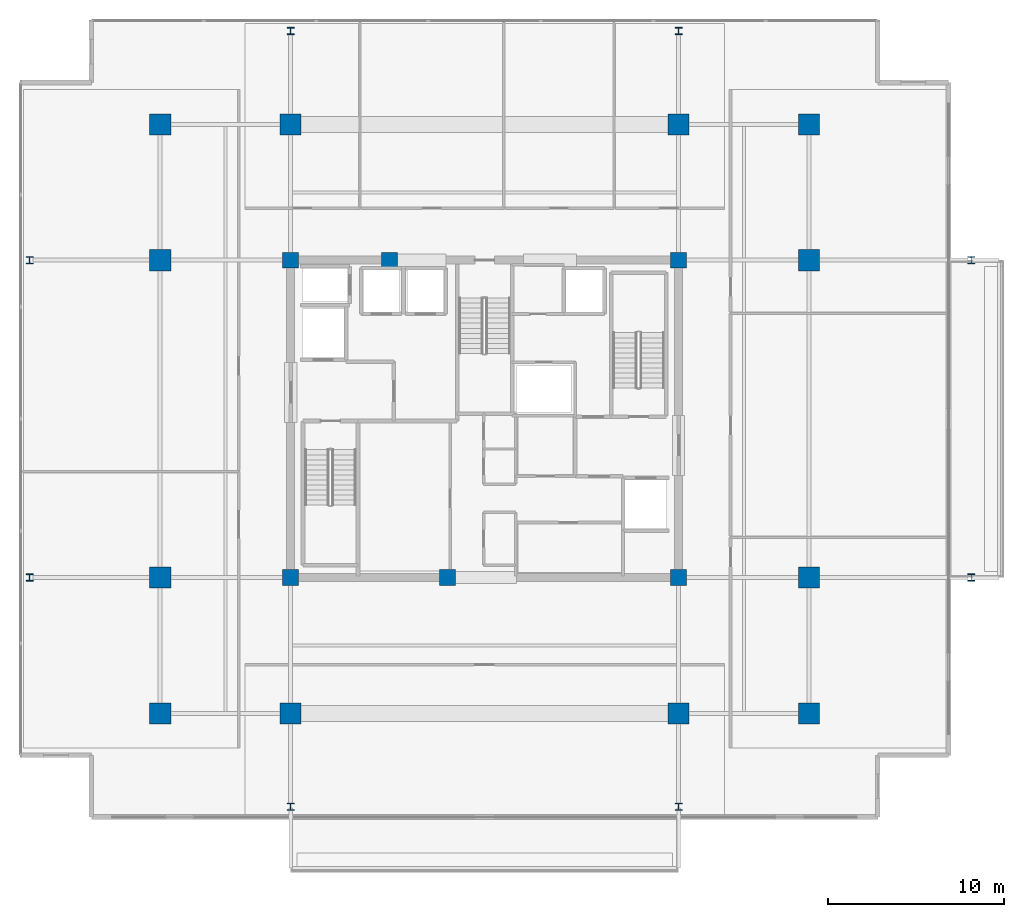
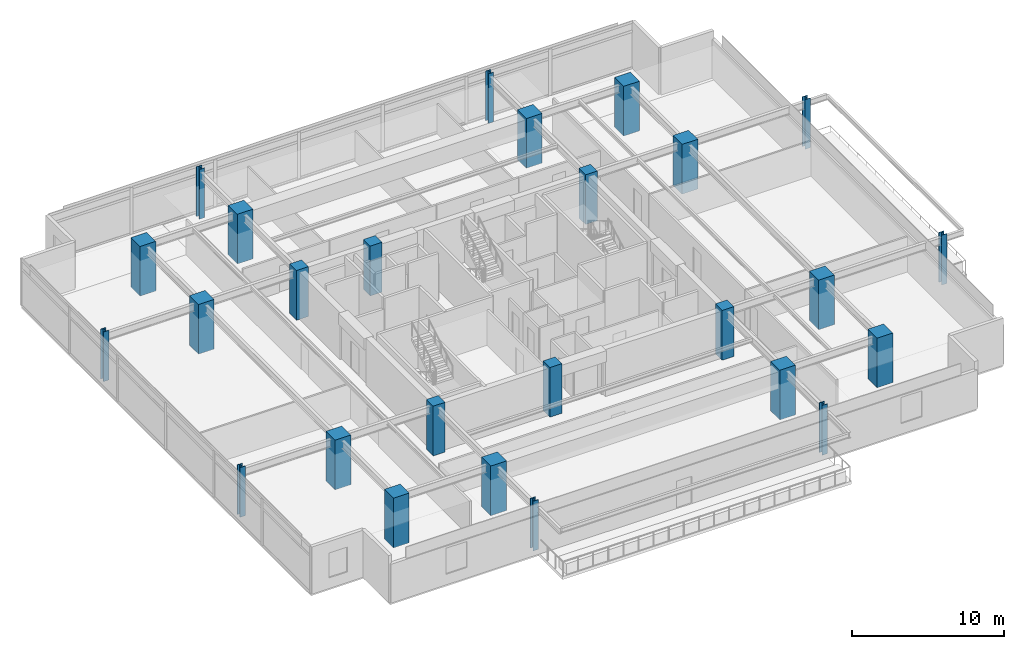
# One storey, part 1 of 21: 26 columns.
"""IFC4 building model written with IfcOpenShell, lengths in metres."""

from ifc_helpers import new_model, si_unit, direction, frame, origin, origin_2d, place, context, subcontext, project, spatial, rectangle, i_section, extrude, material, material_profile, profile_set, type_object, element, save


model = new_model("IFC4")

# Units and contexts
model_context = context("Model", 3, precision=1e-05, world=origin(), true_north=direction((0.0, 1.0)))
body_context = subcontext(model_context, "Body", "Model", "MODEL_VIEW")
ifc_project = project(units=[si_unit("LENGTHUNIT", "METRE"), si_unit("AREAUNIT", "SQUARE_METRE"), si_unit("VOLUMEUNIT", "CUBIC_METRE"), si_unit("PLANEANGLEUNIT", "RADIAN"), si_unit("MASSUNIT", "GRAM", prefix="KILO")], contexts=[model_context])

# Site, building, storey
site_placement = place(None, origin())
site = spatial("IfcSite", under=ifc_project, at=site_placement, CompositionType="ELEMENT")
building_placement = place(site_placement, origin())
building = spatial("IfcBuilding", under=site, at=building_placement, Name="Kovane Verandah Tower", CompositionType="ELEMENT")
storey_placement = place(building_placement, frame((0.0, 0.0, 263.199951171875)))
storey = spatial("IfcBuildingStorey", under=building, at=storey_placement, Name="L61", CompositionType="ELEMENT", Elevation=263.199951171875)

# Columns
ifc_material_1 = material(Name="Concrete C60/75", Category="concrete")
ifc_material_profile_1 = material_profile(ifc_material_1, rectangle(XDim=1.199951171875, YDim=1.199951171875, at=origin_2d()), Name="RC1200x1200")
ifc_profile_set_1 = profile_set([ifc_material_profile_1], Name="Concrete C60/75")
column_type_1 = type_object("IfcColumnType", Name="COL-RC1200", PredefinedType="COLUMN", material=ifc_profile_set_1)
for number, where, z_axis, x_axis, name in (
    (1, (29.0, 10.800048828125, 0.0), (0.0, 0.0, 1.0), (1.0, 0.0, 0.0), "L61 Tower Mega-Column MC-S1"),
    (2, (51.0, 10.800048828125, 0.0), (0.0, 0.0, 1.0), (1.0, 0.0, 0.0), "L61 Tower Mega-Column MC-S2"),
    (3, (29.0, 44.199951171875, 0.0), (0.0, 0.0, 1.0), (1.0, 0.0, 0.0), "L61 Tower Mega-Column MC-N1"),
    (4, (51.0, 44.199951171875, 0.0), (0.0, 0.0, 1.0), (1.0, 0.0, 0.0), "L61 Tower Mega-Column MC-N2"),
    (5, (21.60009765625, 18.5, 0.0), (0.0, 0.0, 1.0), (1.0, 0.0, 0.0), "L61 Tower Mega-Column MC-W1"),
    (6, (21.60009765625, 36.5, 0.0), (0.0, 0.0, 1.0), (1.0, 0.0, 0.0), "L61 Tower Mega-Column MC-W2"),
    (7, (58.39990234375, 18.5, 0.0), (0.0, 0.0, 1.0), (1.0, 0.0, 0.0), "L61 Tower Mega-Column MC-E1"),
    (8, (58.39990234375, 36.5, 0.0), (0.0, 0.0, 1.0), (1.0, 0.0, 0.0), "L61 Tower Mega-Column MC-E2"),
    (9, (21.60009765625, 10.800048828125, 0.0), (0.0, 0.0, 1.0), (1.0, 0.0, 0.0), "L61 Tower Mega-Column MC-SW"),
    (10, (58.39990234375, 10.800048828125, 0.0), (0.0, 0.0, 1.0), (1.0, 0.0, 0.0), "L61 Tower Mega-Column MC-SE"),
    (11, (21.60009765625, 44.199951171875, 0.0), (0.0, 0.0, 1.0), (1.0, 0.0, 0.0), "L61 Tower Mega-Column MC-NW"),
    (12, (58.39990234375, 44.199951171875, 0.0), (0.0, 0.0, 1.0), (1.0, 0.0, 0.0), "L61 Tower Mega-Column MC-NE"),
):
    element("IfcColumn", number, at=place(storey_placement, frame(where, z_axis=z_axis, x_axis=x_axis)), inside=storey, type_object=column_type_1, Name=name, PredefinedType="COLUMN", context=body_context, shape_type="SweptSolid", body=[
        extrude(rectangle(XDim=1.199951171875, YDim=1.199951171875, at=origin_2d()), origin(), (0.0, 0.0, 1.0), 4.0),
    ])
ifc_material_2 = material(Name="Steel S460", Category="steel")
ifc_material_profile_2 = material_profile(ifc_material_2, i_section(OverallWidth=0.403076171875, OverallDepth=0.406494140625, WebThickness=0.026611328125, FlangeThickness=0.04296875, FilletRadius=0.01513671875, at=origin_2d()), Name="UC356x406x340")
ifc_profile_set_2 = profile_set([ifc_material_profile_2], Name="Steel S460")
column_type_2 = type_object("IfcColumnType", Name="COL-UC340", PredefinedType="COLUMN", material=ifc_profile_set_2)
for number, where, z_axis, x_axis, name in (
    (13, (14.199951171875, 18.5, 0.0), (0.0, 0.0, 1.0), (1.0, 0.0, 0.0), "L61 Verandah Perimeter Column VC-W1"),
    (14, (14.199951171875, 36.5, 0.0), (0.0, 0.0, 1.0), (1.0, 0.0, 0.0), "L61 Verandah Perimeter Column VC-W2"),
    (15, (67.60009765625, 18.5, 0.0), (0.0, 0.0, 1.0), (1.0, 0.0, 0.0), "L61 Verandah Perimeter Column VC-E1"),
    (16, (67.60009765625, 36.5, 0.0), (0.0, 0.0, 1.0), (1.0, 0.0, 0.0), "L61 Verandah Perimeter Column VC-E2"),
    (17, (29.0, 5.5, 0.0), (0.0, 0.0, 1.0), (1.0, 0.0, 0.0), "L61 Verandah Perimeter Column VC-S1"),
    (18, (51.0, 5.5, 0.0), (0.0, 0.0, 1.0), (1.0, 0.0, 0.0), "L61 Verandah Perimeter Column VC-S2"),
    (19, (29.0, 49.5, 0.0), (0.0, 0.0, 1.0), (1.0, 0.0, 0.0), "L61 Verandah Perimeter Column VC-N1"),
    (20, (51.0, 49.5, 0.0), (0.0, 0.0, 1.0), (1.0, 0.0, 0.0), "L61 Verandah Perimeter Column VC-N2"),
):
    element("IfcColumn", number, at=place(storey_placement, frame(where, z_axis=z_axis, x_axis=x_axis)), inside=storey, type_object=column_type_2, Name=name, PredefinedType="COLUMN", context=body_context, shape_type="SweptSolid", body=[
        extrude(i_section(OverallWidth=0.403076171875, OverallDepth=0.406494140625, WebThickness=0.026611328125, FlangeThickness=0.04296875, FilletRadius=0.01513671875, at=origin_2d()), origin(), (0.0, 0.0, 1.0), 4.0),
    ])
ifc_material_profile_3 = material_profile(ifc_material_1, rectangle(XDim=0.89990234375, YDim=0.89990234375, at=origin_2d()), Name="RC900x900")
ifc_profile_set_3 = profile_set([ifc_material_profile_3], Name="Concrete C60/75")
column_type_3 = type_object("IfcColumnType", Name="PIL-RC900", PredefinedType="PILASTER", material=ifc_profile_set_3)
for number, where, z_axis, x_axis, name in (
    (21, (29.0, 18.5, 0.0), (0.0, 0.0, 1.0), (1.0, 0.0, 0.0), "L61 Core Pilaster CP-SW"),
    (22, (51.0, 18.5, 0.0), (0.0, 0.0, 1.0), (1.0, 0.0, 0.0), "L61 Core Pilaster CP-SE"),
    (23, (29.0, 36.5, 0.0), (0.0, 0.0, 1.0), (1.0, 0.0, 0.0), "L61 Core Pilaster CP-NW"),
    (24, (51.0, 36.5, 0.0), (0.0, 0.0, 1.0), (1.0, 0.0, 0.0), "L61 Core Pilaster CP-NE"),
    (25, (37.89990234375, 18.5, 0.0), (0.0, 0.0, 1.0), (1.0, 0.0, 0.0), "L61 Core Pilaster CP-S"),
    (26, (34.60009765625, 36.5, 0.0), (0.0, 0.0, 1.0), (1.0, 0.0, 0.0), "L61 Core Pilaster CP-N"),
):
    element("IfcColumn", number, at=place(storey_placement, frame(where, z_axis=z_axis, x_axis=x_axis)), inside=storey, type_object=column_type_3, Name=name, PredefinedType="PILASTER", context=body_context, shape_type="SweptSolid", body=[
        extrude(rectangle(XDim=0.89990234375, YDim=0.89990234375, at=origin_2d()), origin(), (0.0, 0.0, 1.0), 4.0),
    ])

save(model, "model.ifc")
